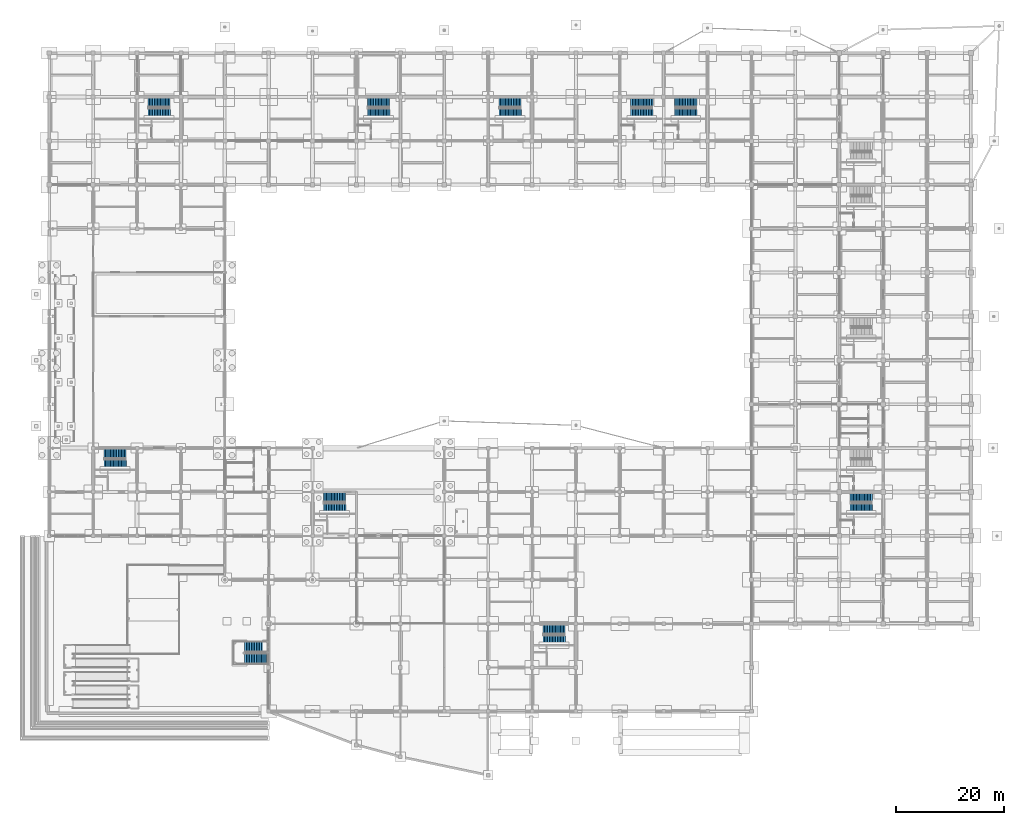
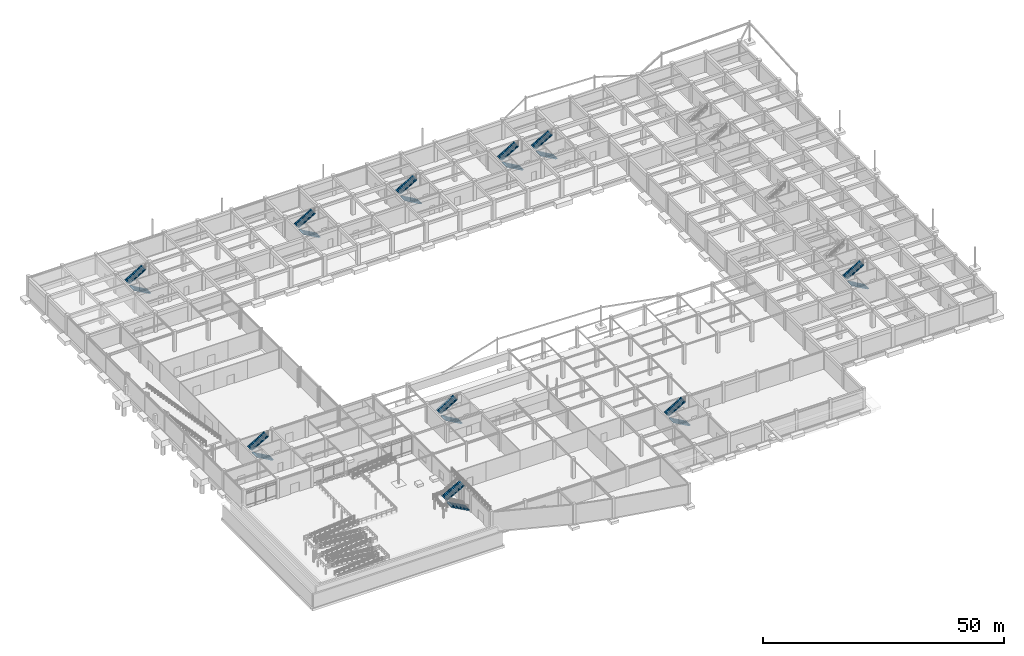
# One storey, part 56 of 67: 20 stair flights, 10 elements without a shape of their own.
"""IFC4 building model written with IfcOpenShell, lengths in metres."""

from ifc_helpers import new_model, si_unit, direction, frame, origin, place, context, subcontext, project, spatial, polyline, outline, extrude, material, type_object, element, aggregate, save


model = new_model("IFC4")

# Units and contexts
model_context = context("Model", 3, precision=1e-05, world=origin(), true_north=direction((0.0, 1.0)))
body_context = subcontext(model_context, "Body", "Model", "MODEL_VIEW")
ifc_project = project(units=[si_unit("LENGTHUNIT", "METRE"), si_unit("AREAUNIT", "SQUARE_METRE"), si_unit("VOLUMEUNIT", "CUBIC_METRE"), si_unit("PLANEANGLEUNIT", "RADIAN"), si_unit("MASSUNIT", "GRAM", prefix="KILO")], contexts=[model_context])

# Site, building, storey
site_placement = place(None, origin())
site = spatial("IfcSite", under=ifc_project, at=site_placement, CompositionType="ELEMENT")
building_placement = place(site_placement, origin())
building = spatial("IfcBuilding", under=site, at=building_placement, Name="Vaudrelin Polytechnic", CompositionType="ELEMENT")
storey_placement = place(building_placement, frame((0.0, 0.0, -5.10009765625)))
storey = spatial("IfcBuildingStorey", under=building, at=storey_placement, Name="B1", CompositionType="ELEMENT", Elevation=-5.10009765625)

# Stair, stair flights
ifc_material_1 = material(Name="Concrete 35 MPa", Category="concrete")
stair_type_1 = type_object("IfcStairType", Name="STR-ST-CORE", PredefinedType="TWO_STRAIGHT_RUN_STAIR", material=ifc_material_1)
stair_1_placement = place(storey_placement, origin())
stair_1 = element("IfcStair", 1, at=stair_1_placement, inside=storey, type_object=stair_type_1, Name="Exit stair ST-01-B1", PredefinedType="TWO_STRAIGHT_RUN_STAIR")
stair_flight_type_1 = type_object("IfcStairFlightType", Name="STF-STF-CORE", PredefinedType="STRAIGHT", material=ifc_material_1)
stair_flight_1_placement = place(storey_placement, frame((22.340087890625, 110.3701171875, 0.0), z_axis=(0.0, 0.0, 1.0), x_axis=(-1.0, 0.0, 0.0)))
stair_flight_1 = element("IfcStairFlight", 2, at=stair_flight_1_placement, type_object=stair_flight_type_1, Name="ST-01-B1 flight 1", NumberOfRisers=15, NumberOfTreads=14, PredefinedType="STRAIGHT", RiserHeight=0.17, TreadLength=0.295, context=body_context, shape_type="SweptSolid", body=[
    extrude(outline(polyline([(0.0, 0.0), (0.0, 0.169921875), (0.294921875, 0.169921875), (0.294921875, 0.340087890625), (0.590087890625, 0.340087890625), (0.590087890625, 0.510009765625), (0.885009765625, 0.510009765625), (0.885009765625, 0.679931640625), (1.179931640625, 0.679931640625), (1.179931640625, 0.85009765625), (1.47509765625, 0.85009765625), (1.47509765625, 1.02001953125), (1.77001953125, 1.02001953125), (1.77001953125, 1.18994140625), (2.06494140625, 1.18994140625), (2.06494140625, 1.360107421875), (2.360107421875, 1.360107421875), (2.360107421875, 1.530029296875), (2.655029296875, 1.530029296875), (2.655029296875, 1.699951171875), (2.949951171875, 1.699951171875), (2.949951171875, 1.8701171875), (3.2451171875, 1.8701171875), (3.2451171875, 2.0400390625), (3.5400390625, 2.0400390625), (3.5400390625, 2.2099609375), (3.8349609375, 2.2099609375), (3.8349609375, 2.3798828125), (4.1298828125, 2.3798828125), (4.1298828125, 2.550048828125), (4.1298828125, 2.149169921875), (0.400390625, 0.0), (0.0, 0.0)])), frame((0.0, 0.91015625, 0.0), z_axis=(0.0, -1.0, 0.0), x_axis=(1.0, 0.0, 0.0)), (0.0, 0.0, 1.0), 1.820068359375),
])
stair_flight_2_placement = place(storey_placement, frame((18.2099609375, 112.389892578125, 2.550048828125), z_axis=(0.0, 0.0, 1.0), x_axis=(1.0, 0.0, 0.0)))
stair_flight_2 = element("IfcStairFlight", 3, at=stair_flight_2_placement, type_object=stair_flight_type_1, Name="ST-01-B1 flight 2", NumberOfRisers=15, NumberOfTreads=14, PredefinedType="STRAIGHT", RiserHeight=0.17, TreadLength=0.29214, context=body_context, shape_type="SweptSolid", body=[
    extrude(outline(polyline([(0.0, 0.0), (0.0, 0.169921875), (0.292236328125, 0.169921875), (0.292236328125, 0.340087890625), (0.584228515625, 0.340087890625), (0.584228515625, 0.510009765625), (0.87646484375, 0.510009765625), (0.87646484375, 0.679931640625), (1.16845703125, 0.679931640625), (1.16845703125, 0.85009765625), (1.460693359375, 0.85009765625), (1.460693359375, 1.02001953125), (1.7529296875, 1.02001953125), (1.7529296875, 1.18994140625), (2.044921875, 1.18994140625), (2.044921875, 1.360107421875), (2.337158203125, 1.360107421875), (2.337158203125, 1.530029296875), (2.629150390625, 1.530029296875), (2.629150390625, 1.699951171875), (2.92138671875, 1.699951171875), (2.92138671875, 1.8701171875), (3.213623046875, 1.8701171875), (3.213623046875, 2.0400390625), (3.505615234375, 2.0400390625), (3.505615234375, 2.2099609375), (3.7978515625, 2.2099609375), (3.7978515625, 2.3798828125), (4.08984375, 2.3798828125), (4.08984375, 2.550048828125), (4.08984375, 2.148681640625), (0.3974609375, 0.0), (0.0, 0.0)])), frame((0.0, 0.91015625, 0.0), z_axis=(0.0, -1.0, 0.0), x_axis=(1.0, 0.0, 0.0)), (0.0, 0.0, 1.0), 1.820068359375),
])
aggregate(stair_1, [stair_flight_1, stair_flight_2])

stair_2_placement = place(storey_placement, origin())
stair_2 = element("IfcStair", 4, at=stair_2_placement, inside=storey, type_object=stair_type_1, Name="Exit stair ST-02-B1", PredefinedType="TWO_STRAIGHT_RUN_STAIR")
stair_flight_3_placement = place(storey_placement, frame((87.139892578125, 110.3701171875, 0.0), z_axis=(0.0, 0.0, 1.0), x_axis=(-1.0, 0.0, 0.0)))
stair_flight_3 = element("IfcStairFlight", 5, at=stair_flight_3_placement, type_object=stair_flight_type_1, Name="ST-02-B1 flight 1", NumberOfRisers=15, NumberOfTreads=14, PredefinedType="STRAIGHT", RiserHeight=0.17, TreadLength=0.295, context=body_context, shape_type="SweptSolid", body=[
    extrude(outline(polyline([(0.0, 0.0), (0.0, 0.169921875), (0.294921875, 0.169921875), (0.294921875, 0.340087890625), (0.590087890625, 0.340087890625), (0.590087890625, 0.510009765625), (0.885009765625, 0.510009765625), (0.885009765625, 0.679931640625), (1.179931640625, 0.679931640625), (1.179931640625, 0.85009765625), (1.47509765625, 0.85009765625), (1.47509765625, 1.02001953125), (1.77001953125, 1.02001953125), (1.77001953125, 1.18994140625), (2.06494140625, 1.18994140625), (2.06494140625, 1.360107421875), (2.360107421875, 1.360107421875), (2.360107421875, 1.530029296875), (2.655029296875, 1.530029296875), (2.655029296875, 1.699951171875), (2.949951171875, 1.699951171875), (2.949951171875, 1.8701171875), (3.2451171875, 1.8701171875), (3.2451171875, 2.0400390625), (3.5400390625, 2.0400390625), (3.5400390625, 2.2099609375), (3.8349609375, 2.2099609375), (3.8349609375, 2.3798828125), (4.1298828125, 2.3798828125), (4.1298828125, 2.550048828125), (4.1298828125, 2.149169921875), (0.400390625, 0.0), (0.0, 0.0)])), frame((0.0, 0.91015625, 0.0), z_axis=(0.0, -1.0, 0.0), x_axis=(1.0, 0.0, 0.0)), (0.0, 0.0, 1.0), 1.820068359375),
])
stair_flight_4_placement = place(storey_placement, frame((83.010009765625, 112.389892578125, 2.550048828125), z_axis=(0.0, 0.0, 1.0), x_axis=(1.0, 0.0, 0.0)))
stair_flight_4 = element("IfcStairFlight", 6, at=stair_flight_4_placement, type_object=stair_flight_type_1, Name="ST-02-B1 flight 2", NumberOfRisers=15, NumberOfTreads=14, PredefinedType="STRAIGHT", RiserHeight=0.17, TreadLength=0.29214, context=body_context, shape_type="SweptSolid", body=[
    extrude(outline(polyline([(0.0, 0.0), (0.0, 0.169921875), (0.292236328125, 0.169921875), (0.292236328125, 0.340087890625), (0.584228515625, 0.340087890625), (0.584228515625, 0.510009765625), (0.87646484375, 0.510009765625), (0.87646484375, 0.679931640625), (1.16845703125, 0.679931640625), (1.16845703125, 0.85009765625), (1.460693359375, 0.85009765625), (1.460693359375, 1.02001953125), (1.7529296875, 1.02001953125), (1.7529296875, 1.18994140625), (2.044921875, 1.18994140625), (2.044921875, 1.360107421875), (2.337158203125, 1.360107421875), (2.337158203125, 1.530029296875), (2.629150390625, 1.530029296875), (2.629150390625, 1.699951171875), (2.92138671875, 1.699951171875), (2.92138671875, 1.8701171875), (3.213623046875, 1.8701171875), (3.213623046875, 2.0400390625), (3.505615234375, 2.0400390625), (3.505615234375, 2.2099609375), (3.7978515625, 2.2099609375), (3.7978515625, 2.3798828125), (4.08984375, 2.3798828125), (4.08984375, 2.550048828125), (4.08984375, 2.148681640625), (0.3974609375, 0.0), (0.0, 0.0)])), frame((0.0, 0.91015625, 0.0), z_axis=(0.0, -1.0, 0.0), x_axis=(1.0, 0.0, 0.0)), (0.0, 0.0, 1.0), 1.820068359375),
])
aggregate(stair_2, [stair_flight_3, stair_flight_4])

stair_3_placement = place(storey_placement, origin())
stair_3 = element("IfcStair", 7, at=stair_3_placement, inside=storey, type_object=stair_type_1, Name="Exit stair ST-03-B1", PredefinedType="TWO_STRAIGHT_RUN_STAIR")
stair_flight_5_placement = place(storey_placement, frame((14.239990234375, 45.570068359375, 0.0), z_axis=(0.0, 0.0, 1.0), x_axis=(-1.0, 0.0, 0.0)))
stair_flight_5 = element("IfcStairFlight", 8, at=stair_flight_5_placement, type_object=stair_flight_type_1, Name="ST-03-B1 flight 1", NumberOfRisers=15, NumberOfTreads=14, PredefinedType="STRAIGHT", RiserHeight=0.17, TreadLength=0.295, context=body_context, shape_type="SweptSolid", body=[
    extrude(outline(polyline([(0.0, 0.0), (0.0, 0.169921875), (0.294921875, 0.169921875), (0.294921875, 0.340087890625), (0.590087890625, 0.340087890625), (0.590087890625, 0.510009765625), (0.885009765625, 0.510009765625), (0.885009765625, 0.679931640625), (1.179931640625, 0.679931640625), (1.179931640625, 0.85009765625), (1.47509765625, 0.85009765625), (1.47509765625, 1.02001953125), (1.77001953125, 1.02001953125), (1.77001953125, 1.18994140625), (2.06494140625, 1.18994140625), (2.06494140625, 1.360107421875), (2.360107421875, 1.360107421875), (2.360107421875, 1.530029296875), (2.655029296875, 1.530029296875), (2.655029296875, 1.699951171875), (2.949951171875, 1.699951171875), (2.949951171875, 1.8701171875), (3.2451171875, 1.8701171875), (3.2451171875, 2.0400390625), (3.5400390625, 2.0400390625), (3.5400390625, 2.2099609375), (3.8349609375, 2.2099609375), (3.8349609375, 2.3798828125), (4.1298828125, 2.3798828125), (4.1298828125, 2.550048828125), (4.1298828125, 2.149169921875), (0.400390625, 0.0), (0.0, 0.0)])), frame((0.0, 0.91015625, 0.0), z_axis=(0.0, -1.0, 0.0), x_axis=(1.0, 0.0, 0.0)), (0.0, 0.0, 1.0), 1.820068359375),
])
stair_flight_6_placement = place(storey_placement, frame((10.110107421875, 47.590087890625, 2.550048828125), z_axis=(0.0, 0.0, 1.0), x_axis=(1.0, 0.0, 0.0)))
stair_flight_6 = element("IfcStairFlight", 9, at=stair_flight_6_placement, type_object=stair_flight_type_1, Name="ST-03-B1 flight 2", NumberOfRisers=15, NumberOfTreads=14, PredefinedType="STRAIGHT", RiserHeight=0.17, TreadLength=0.29214, context=body_context, shape_type="SweptSolid", body=[
    extrude(outline(polyline([(0.0, 0.0), (0.0, 0.169921875), (0.292236328125, 0.169921875), (0.292236328125, 0.340087890625), (0.584228515625, 0.340087890625), (0.584228515625, 0.510009765625), (0.87646484375, 0.510009765625), (0.87646484375, 0.679931640625), (1.16845703125, 0.679931640625), (1.16845703125, 0.85009765625), (1.460693359375, 0.85009765625), (1.460693359375, 1.02001953125), (1.7529296875, 1.02001953125), (1.7529296875, 1.18994140625), (2.044921875, 1.18994140625), (2.044921875, 1.360107421875), (2.337158203125, 1.360107421875), (2.337158203125, 1.530029296875), (2.629150390625, 1.530029296875), (2.629150390625, 1.699951171875), (2.92138671875, 1.699951171875), (2.92138671875, 1.8701171875), (3.213623046875, 1.8701171875), (3.213623046875, 2.0400390625), (3.505615234375, 2.0400390625), (3.505615234375, 2.2099609375), (3.7978515625, 2.2099609375), (3.7978515625, 2.3798828125), (4.08984375, 2.3798828125), (4.08984375, 2.550048828125), (4.08984375, 2.148681640625), (0.3974609375, 0.0), (0.0, 0.0)])), frame((0.0, 0.91015625, 0.0), z_axis=(0.0, -1.0, 0.0), x_axis=(1.0, 0.0, 0.0)), (0.0, 0.0, 1.0), 1.820068359375),
])
aggregate(stair_3, [stair_flight_5, stair_flight_6])

stair_4_placement = place(storey_placement, origin())
stair_4 = element("IfcStair", 10, at=stair_4_placement, inside=storey, type_object=stair_type_1, Name="Exit stair ST-04-B1", PredefinedType="TWO_STRAIGHT_RUN_STAIR")
stair_flight_7_placement = place(storey_placement, frame((54.739990234375, 37.469970703125, 0.0), z_axis=(0.0, 0.0, 1.0), x_axis=(-1.0, 0.0, 0.0)))
stair_flight_7 = element("IfcStairFlight", 11, at=stair_flight_7_placement, type_object=stair_flight_type_1, Name="ST-04-B1 flight 1", NumberOfRisers=15, NumberOfTreads=14, PredefinedType="STRAIGHT", RiserHeight=0.17, TreadLength=0.295, context=body_context, shape_type="SweptSolid", body=[
    extrude(outline(polyline([(0.0, 0.0), (0.0, 0.169921875), (0.294921875, 0.169921875), (0.294921875, 0.340087890625), (0.590087890625, 0.340087890625), (0.590087890625, 0.510009765625), (0.885009765625, 0.510009765625), (0.885009765625, 0.679931640625), (1.179931640625, 0.679931640625), (1.179931640625, 0.85009765625), (1.47509765625, 0.85009765625), (1.47509765625, 1.02001953125), (1.77001953125, 1.02001953125), (1.77001953125, 1.18994140625), (2.06494140625, 1.18994140625), (2.06494140625, 1.360107421875), (2.360107421875, 1.360107421875), (2.360107421875, 1.530029296875), (2.655029296875, 1.530029296875), (2.655029296875, 1.699951171875), (2.949951171875, 1.699951171875), (2.949951171875, 1.8701171875), (3.2451171875, 1.8701171875), (3.2451171875, 2.0400390625), (3.5400390625, 2.0400390625), (3.5400390625, 2.2099609375), (3.8349609375, 2.2099609375), (3.8349609375, 2.3798828125), (4.1298828125, 2.3798828125), (4.1298828125, 2.550048828125), (4.1298828125, 2.149169921875), (0.400390625, 0.0), (0.0, 0.0)])), frame((0.0, 0.91015625, 0.0), z_axis=(0.0, -1.0, 0.0), x_axis=(1.0, 0.0, 0.0)), (0.0, 0.0, 1.0), 1.820068359375),
])
stair_flight_8_placement = place(storey_placement, frame((50.610107421875, 39.489990234375, 2.550048828125), z_axis=(0.0, 0.0, 1.0), x_axis=(1.0, 0.0, 0.0)))
stair_flight_8 = element("IfcStairFlight", 12, at=stair_flight_8_placement, type_object=stair_flight_type_1, Name="ST-04-B1 flight 2", NumberOfRisers=15, NumberOfTreads=14, PredefinedType="STRAIGHT", RiserHeight=0.17, TreadLength=0.29214, context=body_context, shape_type="SweptSolid", body=[
    extrude(outline(polyline([(0.0, 0.0), (0.0, 0.169921875), (0.292236328125, 0.169921875), (0.292236328125, 0.340087890625), (0.584228515625, 0.340087890625), (0.584228515625, 0.510009765625), (0.87646484375, 0.510009765625), (0.87646484375, 0.679931640625), (1.16845703125, 0.679931640625), (1.16845703125, 0.85009765625), (1.460693359375, 0.85009765625), (1.460693359375, 1.02001953125), (1.7529296875, 1.02001953125), (1.7529296875, 1.18994140625), (2.044921875, 1.18994140625), (2.044921875, 1.360107421875), (2.337158203125, 1.360107421875), (2.337158203125, 1.530029296875), (2.629150390625, 1.530029296875), (2.629150390625, 1.699951171875), (2.92138671875, 1.699951171875), (2.92138671875, 1.8701171875), (3.213623046875, 1.8701171875), (3.213623046875, 2.0400390625), (3.505615234375, 2.0400390625), (3.505615234375, 2.2099609375), (3.7978515625, 2.2099609375), (3.7978515625, 2.3798828125), (4.08984375, 2.3798828125), (4.08984375, 2.550048828125), (4.08984375, 2.148681640625), (0.3974609375, 0.0), (0.0, 0.0)])), frame((0.0, 0.91015625, 0.0), z_axis=(0.0, -1.0, 0.0), x_axis=(1.0, 0.0, 0.0)), (0.0, 0.0, 1.0), 1.820068359375),
])
aggregate(stair_4, [stair_flight_7, stair_flight_8])

stair_5_placement = place(storey_placement, origin())
stair_5 = element("IfcStair", 13, at=stair_5_placement, inside=storey, type_object=stair_type_1, Name="Exit stair ST-05-B1", PredefinedType="TWO_STRAIGHT_RUN_STAIR")
stair_flight_9_placement = place(storey_placement, frame((95.239990234375, 13.169921875, 0.0), z_axis=(0.0, 0.0, 1.0), x_axis=(-1.0, 0.0, 0.0)))
stair_flight_9 = element("IfcStairFlight", 14, at=stair_flight_9_placement, type_object=stair_flight_type_1, Name="ST-05-B1 flight 1", NumberOfRisers=15, NumberOfTreads=14, PredefinedType="STRAIGHT", RiserHeight=0.17, TreadLength=0.295, context=body_context, shape_type="SweptSolid", body=[
    extrude(outline(polyline([(0.0, 0.0), (0.0, 0.169921875), (0.294921875, 0.169921875), (0.294921875, 0.340087890625), (0.590087890625, 0.340087890625), (0.590087890625, 0.510009765625), (0.885009765625, 0.510009765625), (0.885009765625, 0.679931640625), (1.179931640625, 0.679931640625), (1.179931640625, 0.85009765625), (1.47509765625, 0.85009765625), (1.47509765625, 1.02001953125), (1.77001953125, 1.02001953125), (1.77001953125, 1.18994140625), (2.06494140625, 1.18994140625), (2.06494140625, 1.360107421875), (2.360107421875, 1.360107421875), (2.360107421875, 1.530029296875), (2.655029296875, 1.530029296875), (2.655029296875, 1.699951171875), (2.949951171875, 1.699951171875), (2.949951171875, 1.8701171875), (3.2451171875, 1.8701171875), (3.2451171875, 2.0400390625), (3.5400390625, 2.0400390625), (3.5400390625, 2.2099609375), (3.8349609375, 2.2099609375), (3.8349609375, 2.3798828125), (4.1298828125, 2.3798828125), (4.1298828125, 2.550048828125), (4.1298828125, 2.149169921875), (0.400390625, 0.0), (0.0, 0.0)])), frame((0.0, 0.91015625, 0.0), z_axis=(0.0, -1.0, 0.0), x_axis=(1.0, 0.0, 0.0)), (0.0, 0.0, 1.0), 1.820068359375),
])
stair_flight_10_placement = place(storey_placement, frame((91.110107421875, 15.18994140625, 2.550048828125), z_axis=(0.0, 0.0, 1.0), x_axis=(1.0, 0.0, 0.0)))
stair_flight_10 = element("IfcStairFlight", 15, at=stair_flight_10_placement, type_object=stair_flight_type_1, Name="ST-05-B1 flight 2", NumberOfRisers=15, NumberOfTreads=14, PredefinedType="STRAIGHT", RiserHeight=0.17, TreadLength=0.29214, context=body_context, shape_type="SweptSolid", body=[
    extrude(outline(polyline([(0.0, 0.0), (0.0, 0.169921875), (0.292236328125, 0.169921875), (0.292236328125, 0.340087890625), (0.584228515625, 0.340087890625), (0.584228515625, 0.510009765625), (0.87646484375, 0.510009765625), (0.87646484375, 0.679931640625), (1.16845703125, 0.679931640625), (1.16845703125, 0.85009765625), (1.460693359375, 0.85009765625), (1.460693359375, 1.02001953125), (1.7529296875, 1.02001953125), (1.7529296875, 1.18994140625), (2.044921875, 1.18994140625), (2.044921875, 1.360107421875), (2.337158203125, 1.360107421875), (2.337158203125, 1.530029296875), (2.629150390625, 1.530029296875), (2.629150390625, 1.699951171875), (2.92138671875, 1.699951171875), (2.92138671875, 1.8701171875), (3.213623046875, 1.8701171875), (3.213623046875, 2.0400390625), (3.505615234375, 2.0400390625), (3.505615234375, 2.2099609375), (3.7978515625, 2.2099609375), (3.7978515625, 2.3798828125), (4.08984375, 2.3798828125), (4.08984375, 2.550048828125), (4.08984375, 2.148681640625), (0.3974609375, 0.0), (0.0, 0.0)])), frame((0.0, 0.91015625, 0.0), z_axis=(0.0, -1.0, 0.0), x_axis=(1.0, 0.0, 0.0)), (0.0, 0.0, 1.0), 1.820068359375),
])
aggregate(stair_5, [stair_flight_9, stair_flight_10])

stair_6_placement = place(storey_placement, origin())
stair_6 = element("IfcStair", 16, at=stair_6_placement, inside=storey, type_object=stair_type_1, Name="Exit stair ST-08-B1", PredefinedType="TWO_STRAIGHT_RUN_STAIR")
stair_flight_11_placement = place(storey_placement, frame((151.93994140625, 37.469970703125, 0.0), z_axis=(0.0, 0.0, 1.0), x_axis=(-1.0, 0.0, 0.0)))
stair_flight_11 = element("IfcStairFlight", 17, at=stair_flight_11_placement, type_object=stair_flight_type_1, Name="ST-08-B1 flight 1", NumberOfRisers=15, NumberOfTreads=14, PredefinedType="STRAIGHT", RiserHeight=0.17, TreadLength=0.295, context=body_context, shape_type="SweptSolid", body=[
    extrude(outline(polyline([(0.0, 0.0), (0.0, 0.169921875), (0.294921875, 0.169921875), (0.294921875, 0.340087890625), (0.590087890625, 0.340087890625), (0.590087890625, 0.510009765625), (0.885009765625, 0.510009765625), (0.885009765625, 0.679931640625), (1.179931640625, 0.679931640625), (1.179931640625, 0.85009765625), (1.47509765625, 0.85009765625), (1.47509765625, 1.02001953125), (1.77001953125, 1.02001953125), (1.77001953125, 1.18994140625), (2.06494140625, 1.18994140625), (2.06494140625, 1.360107421875), (2.360107421875, 1.360107421875), (2.360107421875, 1.530029296875), (2.655029296875, 1.530029296875), (2.655029296875, 1.699951171875), (2.949951171875, 1.699951171875), (2.949951171875, 1.8701171875), (3.2451171875, 1.8701171875), (3.2451171875, 2.0400390625), (3.5400390625, 2.0400390625), (3.5400390625, 2.2099609375), (3.8349609375, 2.2099609375), (3.8349609375, 2.3798828125), (4.1298828125, 2.3798828125), (4.1298828125, 2.550048828125), (4.1298828125, 2.149169921875), (0.400390625, 0.0), (0.0, 0.0)])), frame((0.0, 0.91015625, 0.0), z_axis=(0.0, -1.0, 0.0), x_axis=(1.0, 0.0, 0.0)), (0.0, 0.0, 1.0), 1.820068359375),
])
stair_flight_12_placement = place(storey_placement, frame((147.81005859375, 39.489990234375, 2.550048828125), z_axis=(0.0, 0.0, 1.0), x_axis=(1.0, 0.0, 0.0)))
stair_flight_12 = element("IfcStairFlight", 18, at=stair_flight_12_placement, type_object=stair_flight_type_1, Name="ST-08-B1 flight 2", NumberOfRisers=15, NumberOfTreads=14, PredefinedType="STRAIGHT", RiserHeight=0.17, TreadLength=0.29214, context=body_context, shape_type="SweptSolid", body=[
    extrude(outline(polyline([(0.0, 0.0), (0.0, 0.169921875), (0.292236328125, 0.169921875), (0.292236328125, 0.340087890625), (0.584228515625, 0.340087890625), (0.584228515625, 0.510009765625), (0.87646484375, 0.510009765625), (0.87646484375, 0.679931640625), (1.16845703125, 0.679931640625), (1.16845703125, 0.85009765625), (1.460693359375, 0.85009765625), (1.460693359375, 1.02001953125), (1.7529296875, 1.02001953125), (1.7529296875, 1.18994140625), (2.044921875, 1.18994140625), (2.044921875, 1.360107421875), (2.337158203125, 1.360107421875), (2.337158203125, 1.530029296875), (2.629150390625, 1.530029296875), (2.629150390625, 1.699951171875), (2.92138671875, 1.699951171875), (2.92138671875, 1.8701171875), (3.213623046875, 1.8701171875), (3.213623046875, 2.0400390625), (3.505615234375, 2.0400390625), (3.505615234375, 2.2099609375), (3.7978515625, 2.2099609375), (3.7978515625, 2.3798828125), (4.08984375, 2.3798828125), (4.08984375, 2.550048828125), (4.08984375, 2.148681640625), (0.3974609375, 0.0), (0.0, 0.0)])), frame((0.0, 0.91015625, 0.0), z_axis=(0.0, -1.0, 0.0), x_axis=(1.0, 0.0, 0.0)), (0.0, 0.0, 1.0), 1.820068359375),
])
aggregate(stair_6, [stair_flight_11, stair_flight_12])

stair_7_placement = place(storey_placement, origin())
stair_7 = element("IfcStair", 19, at=stair_7_placement, inside=storey, type_object=stair_type_1, Name="Exit stair ST-09-B1", PredefinedType="TWO_STRAIGHT_RUN_STAIR")
stair_flight_13_placement = place(storey_placement, frame((62.840087890625, 110.3701171875, 0.0), z_axis=(0.0, 0.0, 1.0), x_axis=(-1.0, 0.0, 0.0)))
stair_flight_13 = element("IfcStairFlight", 20, at=stair_flight_13_placement, type_object=stair_flight_type_1, Name="ST-09-B1 flight 1", NumberOfRisers=15, NumberOfTreads=14, PredefinedType="STRAIGHT", RiserHeight=0.17, TreadLength=0.295, context=body_context, shape_type="SweptSolid", body=[
    extrude(outline(polyline([(0.0, 0.0), (0.0, 0.169921875), (0.294921875, 0.169921875), (0.294921875, 0.340087890625), (0.590087890625, 0.340087890625), (0.590087890625, 0.510009765625), (0.885009765625, 0.510009765625), (0.885009765625, 0.679931640625), (1.179931640625, 0.679931640625), (1.179931640625, 0.85009765625), (1.47509765625, 0.85009765625), (1.47509765625, 1.02001953125), (1.77001953125, 1.02001953125), (1.77001953125, 1.18994140625), (2.06494140625, 1.18994140625), (2.06494140625, 1.360107421875), (2.360107421875, 1.360107421875), (2.360107421875, 1.530029296875), (2.655029296875, 1.530029296875), (2.655029296875, 1.699951171875), (2.949951171875, 1.699951171875), (2.949951171875, 1.8701171875), (3.2451171875, 1.8701171875), (3.2451171875, 2.0400390625), (3.5400390625, 2.0400390625), (3.5400390625, 2.2099609375), (3.8349609375, 2.2099609375), (3.8349609375, 2.3798828125), (4.1298828125, 2.3798828125), (4.1298828125, 2.550048828125), (4.1298828125, 2.149169921875), (0.400390625, 0.0), (0.0, 0.0)])), frame((0.0, 0.91015625, 0.0), z_axis=(0.0, -1.0, 0.0), x_axis=(1.0, 0.0, 0.0)), (0.0, 0.0, 1.0), 1.820068359375),
])
stair_flight_14_placement = place(storey_placement, frame((58.7099609375, 112.389892578125, 2.550048828125), z_axis=(0.0, 0.0, 1.0), x_axis=(1.0, 0.0, 0.0)))
stair_flight_14 = element("IfcStairFlight", 21, at=stair_flight_14_placement, type_object=stair_flight_type_1, Name="ST-09-B1 flight 2", NumberOfRisers=15, NumberOfTreads=14, PredefinedType="STRAIGHT", RiserHeight=0.17, TreadLength=0.29214, context=body_context, shape_type="SweptSolid", body=[
    extrude(outline(polyline([(0.0, 0.0), (0.0, 0.169921875), (0.292236328125, 0.169921875), (0.292236328125, 0.340087890625), (0.584228515625, 0.340087890625), (0.584228515625, 0.510009765625), (0.87646484375, 0.510009765625), (0.87646484375, 0.679931640625), (1.16845703125, 0.679931640625), (1.16845703125, 0.85009765625), (1.460693359375, 0.85009765625), (1.460693359375, 1.02001953125), (1.7529296875, 1.02001953125), (1.7529296875, 1.18994140625), (2.044921875, 1.18994140625), (2.044921875, 1.360107421875), (2.337158203125, 1.360107421875), (2.337158203125, 1.530029296875), (2.629150390625, 1.530029296875), (2.629150390625, 1.699951171875), (2.92138671875, 1.699951171875), (2.92138671875, 1.8701171875), (3.213623046875, 1.8701171875), (3.213623046875, 2.0400390625), (3.505615234375, 2.0400390625), (3.505615234375, 2.2099609375), (3.7978515625, 2.2099609375), (3.7978515625, 2.3798828125), (4.08984375, 2.3798828125), (4.08984375, 2.550048828125), (4.08984375, 2.148681640625), (0.3974609375, 0.0), (0.0, 0.0)])), frame((0.0, 0.91015625, 0.0), z_axis=(0.0, -1.0, 0.0), x_axis=(1.0, 0.0, 0.0)), (0.0, 0.0, 1.0), 1.820068359375),
])
aggregate(stair_7, [stair_flight_13, stair_flight_14])

stair_8_placement = place(storey_placement, origin())
stair_8 = element("IfcStair", 22, at=stair_8_placement, inside=storey, type_object=stair_type_1, Name="Exit stair ST-10-B1", PredefinedType="TWO_STRAIGHT_RUN_STAIR")
stair_flight_15_placement = place(storey_placement, frame((119.5400390625, 110.3701171875, 0.0), z_axis=(0.0, 0.0, 1.0), x_axis=(-1.0, 0.0, 0.0)))
stair_flight_15 = element("IfcStairFlight", 23, at=stair_flight_15_placement, type_object=stair_flight_type_1, Name="ST-10-B1 flight 1", NumberOfRisers=15, NumberOfTreads=14, PredefinedType="STRAIGHT", RiserHeight=0.17, TreadLength=0.295, context=body_context, shape_type="SweptSolid", body=[
    extrude(outline(polyline([(0.0, 0.0), (0.0, 0.169921875), (0.294921875, 0.169921875), (0.294921875, 0.340087890625), (0.590087890625, 0.340087890625), (0.590087890625, 0.510009765625), (0.885009765625, 0.510009765625), (0.885009765625, 0.679931640625), (1.179931640625, 0.679931640625), (1.179931640625, 0.85009765625), (1.47509765625, 0.85009765625), (1.47509765625, 1.02001953125), (1.77001953125, 1.02001953125), (1.77001953125, 1.18994140625), (2.06494140625, 1.18994140625), (2.06494140625, 1.360107421875), (2.360107421875, 1.360107421875), (2.360107421875, 1.530029296875), (2.655029296875, 1.530029296875), (2.655029296875, 1.699951171875), (2.949951171875, 1.699951171875), (2.949951171875, 1.8701171875), (3.2451171875, 1.8701171875), (3.2451171875, 2.0400390625), (3.5400390625, 2.0400390625), (3.5400390625, 2.2099609375), (3.8349609375, 2.2099609375), (3.8349609375, 2.3798828125), (4.1298828125, 2.3798828125), (4.1298828125, 2.550048828125), (4.1298828125, 2.149169921875), (0.400390625, 0.0), (0.0, 0.0)])), frame((0.0, 0.91015625, 0.0), z_axis=(0.0, -1.0, 0.0), x_axis=(1.0, 0.0, 0.0)), (0.0, 0.0, 1.0), 1.820068359375),
])
stair_flight_16_placement = place(storey_placement, frame((115.409912109375, 112.389892578125, 2.550048828125), z_axis=(0.0, 0.0, 1.0), x_axis=(1.0, 0.0, 0.0)))
stair_flight_16 = element("IfcStairFlight", 24, at=stair_flight_16_placement, type_object=stair_flight_type_1, Name="ST-10-B1 flight 2", NumberOfRisers=15, NumberOfTreads=14, PredefinedType="STRAIGHT", RiserHeight=0.17, TreadLength=0.29214, context=body_context, shape_type="SweptSolid", body=[
    extrude(outline(polyline([(0.0, 0.0), (0.0, 0.169921875), (0.292236328125, 0.169921875), (0.292236328125, 0.340087890625), (0.584228515625, 0.340087890625), (0.584228515625, 0.510009765625), (0.87646484375, 0.510009765625), (0.87646484375, 0.679931640625), (1.16845703125, 0.679931640625), (1.16845703125, 0.85009765625), (1.460693359375, 0.85009765625), (1.460693359375, 1.02001953125), (1.7529296875, 1.02001953125), (1.7529296875, 1.18994140625), (2.044921875, 1.18994140625), (2.044921875, 1.360107421875), (2.337158203125, 1.360107421875), (2.337158203125, 1.530029296875), (2.629150390625, 1.530029296875), (2.629150390625, 1.699951171875), (2.92138671875, 1.699951171875), (2.92138671875, 1.8701171875), (3.213623046875, 1.8701171875), (3.213623046875, 2.0400390625), (3.505615234375, 2.0400390625), (3.505615234375, 2.2099609375), (3.7978515625, 2.2099609375), (3.7978515625, 2.3798828125), (4.08984375, 2.3798828125), (4.08984375, 2.550048828125), (4.08984375, 2.148681640625), (0.3974609375, 0.0), (0.0, 0.0)])), frame((0.0, 0.91015625, 0.0), z_axis=(0.0, -1.0, 0.0), x_axis=(1.0, 0.0, 0.0)), (0.0, 0.0, 1.0), 1.820068359375),
])
aggregate(stair_8, [stair_flight_15, stair_flight_16])

stair_9_placement = place(storey_placement, origin())
stair_9 = element("IfcStair", 25, at=stair_9_placement, inside=storey, type_object=stair_type_1, Name="Exit stair ST-11-B1", PredefinedType="TWO_STRAIGHT_RUN_STAIR")
stair_flight_17_placement = place(storey_placement, frame((111.43994140625, 110.3701171875, 0.0), z_axis=(0.0, 0.0, 1.0), x_axis=(-1.0, 0.0, 0.0)))
stair_flight_17 = element("IfcStairFlight", 26, at=stair_flight_17_placement, type_object=stair_flight_type_1, Name="ST-11-B1 flight 1", NumberOfRisers=15, NumberOfTreads=14, PredefinedType="STRAIGHT", RiserHeight=0.17, TreadLength=0.295, context=body_context, shape_type="SweptSolid", body=[
    extrude(outline(polyline([(0.0, 0.0), (0.0, 0.169921875), (0.294921875, 0.169921875), (0.294921875, 0.340087890625), (0.590087890625, 0.340087890625), (0.590087890625, 0.510009765625), (0.885009765625, 0.510009765625), (0.885009765625, 0.679931640625), (1.179931640625, 0.679931640625), (1.179931640625, 0.85009765625), (1.47509765625, 0.85009765625), (1.47509765625, 1.02001953125), (1.77001953125, 1.02001953125), (1.77001953125, 1.18994140625), (2.06494140625, 1.18994140625), (2.06494140625, 1.360107421875), (2.360107421875, 1.360107421875), (2.360107421875, 1.530029296875), (2.655029296875, 1.530029296875), (2.655029296875, 1.699951171875), (2.949951171875, 1.699951171875), (2.949951171875, 1.8701171875), (3.2451171875, 1.8701171875), (3.2451171875, 2.0400390625), (3.5400390625, 2.0400390625), (3.5400390625, 2.2099609375), (3.8349609375, 2.2099609375), (3.8349609375, 2.3798828125), (4.1298828125, 2.3798828125), (4.1298828125, 2.550048828125), (4.1298828125, 2.149169921875), (0.400390625, 0.0), (0.0, 0.0)])), frame((0.0, 0.91015625, 0.0), z_axis=(0.0, -1.0, 0.0), x_axis=(1.0, 0.0, 0.0)), (0.0, 0.0, 1.0), 1.820068359375),
])
stair_flight_18_placement = place(storey_placement, frame((107.31005859375, 112.389892578125, 2.550048828125), z_axis=(0.0, 0.0, 1.0), x_axis=(1.0, 0.0, 0.0)))
stair_flight_18 = element("IfcStairFlight", 27, at=stair_flight_18_placement, type_object=stair_flight_type_1, Name="ST-11-B1 flight 2", NumberOfRisers=15, NumberOfTreads=14, PredefinedType="STRAIGHT", RiserHeight=0.17, TreadLength=0.29214, context=body_context, shape_type="SweptSolid", body=[
    extrude(outline(polyline([(0.0, 0.0), (0.0, 0.169921875), (0.292236328125, 0.169921875), (0.292236328125, 0.340087890625), (0.584228515625, 0.340087890625), (0.584228515625, 0.510009765625), (0.87646484375, 0.510009765625), (0.87646484375, 0.679931640625), (1.16845703125, 0.679931640625), (1.16845703125, 0.85009765625), (1.460693359375, 0.85009765625), (1.460693359375, 1.02001953125), (1.7529296875, 1.02001953125), (1.7529296875, 1.18994140625), (2.044921875, 1.18994140625), (2.044921875, 1.360107421875), (2.337158203125, 1.360107421875), (2.337158203125, 1.530029296875), (2.629150390625, 1.530029296875), (2.629150390625, 1.699951171875), (2.92138671875, 1.699951171875), (2.92138671875, 1.8701171875), (3.213623046875, 1.8701171875), (3.213623046875, 2.0400390625), (3.505615234375, 2.0400390625), (3.505615234375, 2.2099609375), (3.7978515625, 2.2099609375), (3.7978515625, 2.3798828125), (4.08984375, 2.3798828125), (4.08984375, 2.550048828125), (4.08984375, 2.148681640625), (0.3974609375, 0.0), (0.0, 0.0)])), frame((0.0, 0.91015625, 0.0), z_axis=(0.0, -1.0, 0.0), x_axis=(1.0, 0.0, 0.0)), (0.0, 0.0, 1.0), 1.820068359375),
])
aggregate(stair_9, [stair_flight_17, stair_flight_18])

ifc_material_2 = material(Name="Steel Grade 350 (CSA G40.21 350W)", Category="steel")
stair_type_2 = type_object("IfcStairType", Name="STR-ST-FEAT", PredefinedType="TWO_STRAIGHT_RUN_STAIR", material=ifc_material_2)
stair_10_placement = place(storey_placement, origin())
stair_10 = element("IfcStair", 28, at=stair_10_placement, inside=storey, type_object=stair_type_2, Name="Feature stair ST-FC1", PredefinedType="TWO_STRAIGHT_RUN_STAIR")
stair_flight_type_2 = type_object("IfcStairFlightType", Name="STF-STF-FEAT", PredefinedType="STRAIGHT", material=ifc_material_2)
stair_flight_19_placement = place(storey_placement, frame((40.419921875, 9.699951171875, 0.0), z_axis=(0.0, 0.0, 1.0), x_axis=(-1.0, 0.0, 0.0)))
stair_flight_19 = element("IfcStairFlight", 29, at=stair_flight_19_placement, type_object=stair_flight_type_2, Name="ST-FC1 flight 1", NumberOfRisers=15, NumberOfTreads=14, PredefinedType="STRAIGHT", RiserHeight=0.17, TreadLength=0.31214, context=body_context, shape_type="SweptSolid", body=[
    extrude(outline(polyline([(0.0, 0.0), (0.0, 0.169921875), (0.312255859375, 0.169921875), (0.312255859375, 0.340087890625), (0.624267578125, 0.340087890625), (0.624267578125, 0.510009765625), (0.9365234375, 0.510009765625), (0.9365234375, 0.679931640625), (1.24853515625, 0.679931640625), (1.24853515625, 0.85009765625), (1.560791015625, 0.85009765625), (1.560791015625, 1.02001953125), (1.872802734375, 1.02001953125), (1.872802734375, 1.18994140625), (2.18505859375, 1.18994140625), (2.18505859375, 1.360107421875), (2.4970703125, 1.360107421875), (2.4970703125, 1.530029296875), (2.809326171875, 1.530029296875), (2.809326171875, 1.699951171875), (3.121337890625, 1.699951171875), (3.121337890625, 1.8701171875), (3.43359375, 1.8701171875), (3.43359375, 2.0400390625), (3.74560546875, 2.0400390625), (3.74560546875, 2.2099609375), (4.057861328125, 2.2099609375), (4.057861328125, 2.3798828125), (4.369873046875, 2.3798828125), (4.369873046875, 2.550048828125), (4.369873046875, 2.15234375), (0.41796875, 0.0), (0.0, 0.0)])), frame((0.0, 1.0, 0.0), z_axis=(0.0, -1.0, 0.0), x_axis=(1.0, 0.0, 0.0)), (0.0, 0.0, 1.0), 2.0),
])
stair_flight_20_placement = place(storey_placement, frame((36.050048828125, 11.89990234375, 2.550048828125), z_axis=(0.0, 0.0, 1.0), x_axis=(1.0, 0.0, 0.0)))
stair_flight_20 = element("IfcStairFlight", 30, at=stair_flight_20_placement, type_object=stair_flight_type_2, Name="ST-FC1 flight 2", NumberOfRisers=15, NumberOfTreads=14, PredefinedType="STRAIGHT", RiserHeight=0.17, TreadLength=0.30929, context=body_context, shape_type="SweptSolid", body=[
    extrude(outline(polyline([(0.0, 0.0), (0.0, 0.169921875), (0.309326171875, 0.169921875), (0.309326171875, 0.340087890625), (0.61865234375, 0.340087890625), (0.61865234375, 0.510009765625), (0.927978515625, 0.510009765625), (0.927978515625, 0.679931640625), (1.237060546875, 0.679931640625), (1.237060546875, 0.85009765625), (1.54638671875, 0.85009765625), (1.54638671875, 1.02001953125), (1.855712890625, 1.02001953125), (1.855712890625, 1.18994140625), (2.1650390625, 1.18994140625), (2.1650390625, 1.360107421875), (2.474365234375, 1.360107421875), (2.474365234375, 1.530029296875), (2.78369140625, 1.530029296875), (2.78369140625, 1.699951171875), (3.093017578125, 1.699951171875), (3.093017578125, 1.8701171875), (3.402099609375, 1.8701171875), (3.402099609375, 2.0400390625), (3.71142578125, 2.0400390625), (3.71142578125, 2.2099609375), (4.020751953125, 2.2099609375), (4.020751953125, 2.3798828125), (4.330078125, 2.3798828125), (4.330078125, 2.550048828125), (4.330078125, 2.15185546875), (0.4150390625, 0.0), (0.0, 0.0)])), frame((0.0, 1.0, 0.0), z_axis=(0.0, -1.0, 0.0), x_axis=(1.0, 0.0, 0.0)), (0.0, 0.0, 1.0), 2.0),
])
aggregate(stair_10, [stair_flight_19, stair_flight_20])

save(model, "model.ifc")
